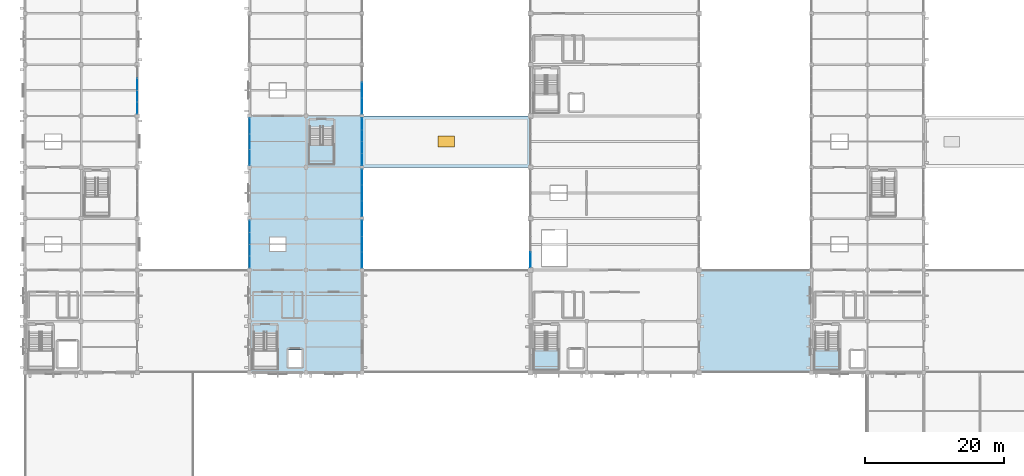
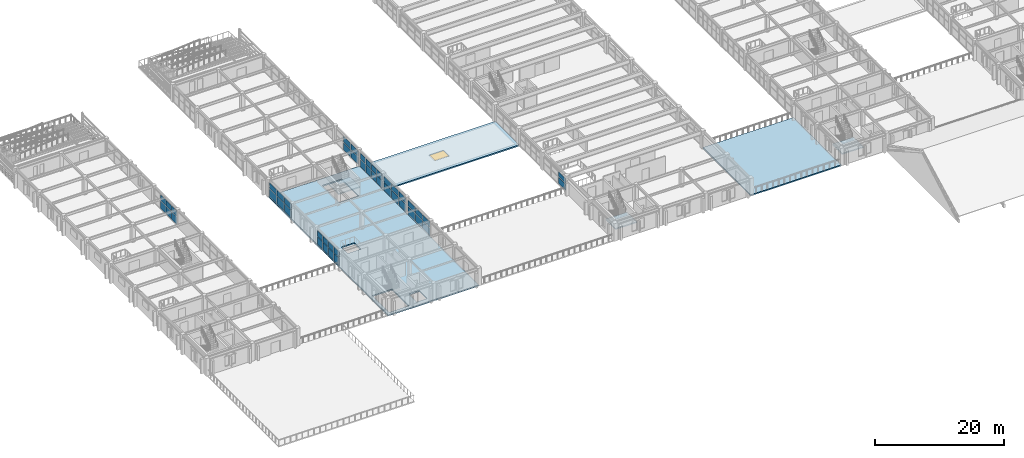
# One storey, part 93 of 121: 46 plates, 6 slabs, 1 window, 1 opening, 11 elements without a shape of their own.
"""IFC4 building model written with IfcOpenShell, lengths in metres."""

from ifc_helpers import new_model, si_unit, direction, frame, origin, origin_2d, place, context, subcontext, project, spatial, polyline, rectangle, outline, extrude, material, layer, layer_set, type_object, element, fill, aggregate, save


model = new_model("IFC4")

# Units and contexts
model_context = context("Model", 3, precision=1e-05, world=origin(), true_north=direction((0.0, 1.0)))
body_context = subcontext(model_context, "Body", "Model", "MODEL_VIEW")
ifc_project = project(units=[si_unit("LENGTHUNIT", "METRE"), si_unit("AREAUNIT", "SQUARE_METRE"), si_unit("VOLUMEUNIT", "CUBIC_METRE"), si_unit("PLANEANGLEUNIT", "RADIAN"), si_unit("MASSUNIT", "GRAM", prefix="KILO")], contexts=[model_context])

# Site, building, storey
site_placement = place(None, origin())
site = spatial("IfcSite", under=ifc_project, at=site_placement, CompositionType="ELEMENT")
building_placement = place(site_placement, origin())
building = spatial("IfcBuilding", under=site, at=building_placement, Name="Cimatlan Art Gallery", CompositionType="ELEMENT")
storey_placement = place(building_placement, frame((0.0, 0.0, 10.199951171875)))
storey = spatial("IfcBuildingStorey", under=building, at=storey_placement, Name="L02", CompositionType="ELEMENT", Elevation=10.199951171875)

# Curtain wall, plates
ifc_material_1 = material(Name="Anodised bronze unitised curtain wall")
curtain_wall_type_1 = type_object("IfcCurtainWallType", Name="CW-V-06792X02823-B4", PredefinedType="NOTDEFINED", material=ifc_material_1)
curtain_wall_1_placement = place(storey_placement, origin())
curtain_wall_1 = element("IfcCurtainWall", 1, at=curtain_wall_1_placement, inside=storey, type_object=curtain_wall_type_1, Name="CW-L02-01-08-E", PredefinedType="NOTDEFINED")
ifc_material_2 = material(Name="Low-E insulated double glazing", Category="glass")
ifc_layer_1 = layer(ifc_material_2, 0.028076171875)
ifc_layer_set_1 = layer_set([ifc_layer_1], Name="Low-E insulated double glazing")
plate_type_1 = type_object("IfcPlateType", Name="PNL-1640X1058", PredefinedType="CURTAIN_PANEL", material=ifc_layer_set_1)
plate_1_placement = place(storey_placement, frame((18.199951171875, 65.448974609375, 1.64306640625), z_axis=(0.0, 0.0, 1.0), x_axis=(0.0, -1.0, 0.0)))
plate_1 = element("IfcPlate", 2, at=plate_1_placement, type_object=plate_type_1, Name="CW-L02-01-08-E-P22", PredefinedType="CURTAIN_PANEL", context=body_context, shape_type="SweptSolid", body=[
    extrude(rectangle(XDim=1.639892578125, YDim=0.028076171875, at=origin_2d()), origin(), (0.0, 0.0, 1.0), 1.05810546875),
])
plate_2_placement = place(storey_placement, frame((18.199951171875, 63.7509765625, 1.64306640625), z_axis=(0.0, 0.0, 1.0), x_axis=(0.0, -1.0, 0.0)))
plate_2 = element("IfcPlate", 3, at=plate_2_placement, type_object=plate_type_1, Name="CW-L02-01-08-E-P32", PredefinedType="CURTAIN_PANEL", context=body_context, shape_type="SweptSolid", body=[
    extrude(rectangle(XDim=1.639892578125, YDim=0.028076171875, at=origin_2d()), origin(), (0.0, 0.0, 1.0), 1.05810546875),
])
plate_3_placement = place(storey_placement, frame((18.199951171875, 62.052978515625, 1.64306640625), z_axis=(0.0, 0.0, 1.0), x_axis=(0.0, -1.0, 0.0)))
plate_3 = element("IfcPlate", 4, at=plate_3_placement, type_object=plate_type_1, Name="CW-L02-01-08-E-P42", PredefinedType="CURTAIN_PANEL", context=body_context, shape_type="SweptSolid", body=[
    extrude(rectangle(XDim=1.639892578125, YDim=0.028076171875, at=origin_2d()), origin(), (0.0, 0.0, 1.0), 1.05810546875),
])

curtain_wall_2_placement = place(storey_placement, origin())
curtain_wall_2 = element("IfcCurtainWall", 5, at=curtain_wall_2_placement, inside=storey, type_object=curtain_wall_type_1, Name="CW-L02-04-05-W", PredefinedType="NOTDEFINED")
plate_4_placement = place(storey_placement, frame((34.39990234375, 39.85302734375, 1.64306640625), z_axis=(0.0, 0.0, 1.0), x_axis=(0.0, 1.0, 0.0)))
plate_4 = element("IfcPlate", 6, at=plate_4_placement, type_object=plate_type_1, Name="CW-L02-04-05-W-P12", PredefinedType="CURTAIN_PANEL", context=body_context, shape_type="SweptSolid", body=[
    extrude(rectangle(XDim=1.639892578125, YDim=0.028076171875, at=origin_2d()), origin(), (0.0, 0.0, 1.0), 1.05810546875),
])
plate_5_placement = place(storey_placement, frame((34.39990234375, 41.551025390625, 1.64306640625), z_axis=(0.0, 0.0, 1.0), x_axis=(0.0, 1.0, 0.0)))
plate_5 = element("IfcPlate", 7, at=plate_5_placement, type_object=plate_type_1, Name="CW-L02-04-05-W-P22", PredefinedType="CURTAIN_PANEL", context=body_context, shape_type="SweptSolid", body=[
    extrude(rectangle(XDim=1.639892578125, YDim=0.028076171875, at=origin_2d()), origin(), (0.0, 0.0, 1.0), 1.05810546875),
])
plate_6_placement = place(storey_placement, frame((34.39990234375, 43.2490234375, 1.64306640625), z_axis=(0.0, 0.0, 1.0), x_axis=(0.0, 1.0, 0.0)))
plate_6 = element("IfcPlate", 8, at=plate_6_placement, type_object=plate_type_1, Name="CW-L02-04-05-W-P32", PredefinedType="CURTAIN_PANEL", context=body_context, shape_type="SweptSolid", body=[
    extrude(rectangle(XDim=1.639892578125, YDim=0.028076171875, at=origin_2d()), origin(), (0.0, 0.0, 1.0), 1.05810546875),
])
plate_7_placement = place(storey_placement, frame((34.39990234375, 44.947021484375, 1.64306640625), z_axis=(0.0, 0.0, 1.0), x_axis=(0.0, 1.0, 0.0)))
plate_7 = element("IfcPlate", 9, at=plate_7_placement, type_object=plate_type_1, Name="CW-L02-04-05-W-P42", PredefinedType="CURTAIN_PANEL", context=body_context, shape_type="SweptSolid", body=[
    extrude(rectangle(XDim=1.639892578125, YDim=0.028076171875, at=origin_2d()), origin(), (0.0, 0.0, 1.0), 1.05810546875),
])

curtain_wall_type_2 = type_object("IfcCurtainWallType", Name="CW-V-06792X02838-B4", PredefinedType="NOTDEFINED", material=ifc_material_1)
curtain_wall_3_placement = place(storey_placement, origin())
curtain_wall_3 = element("IfcCurtainWall", 10, at=curtain_wall_3_placement, inside=storey, type_object=curtain_wall_type_2, Name="CW-L02-05-07-E", PredefinedType="NOTDEFINED")
ifc_layer_2 = layer(ifc_material_2, 0.028076171875)
ifc_layer_set_2 = layer_set([ifc_layer_2], Name="Low-E insulated double glazing")
plate_type_2 = type_object("IfcPlateType", Name="PNL-1640X1065", PredefinedType="CURTAIN_PANEL", material=ifc_layer_set_2)
plate_8_placement = place(storey_placement, frame((50.60009765625, 59.7470703125, 1.651123046875), z_axis=(0.0, 0.0, 1.0), x_axis=(0.0, -1.0, 0.0)))
plate_8 = element("IfcPlate", 11, at=plate_8_placement, type_object=plate_type_2, Name="CW-L02-05-07-E-P12", PredefinedType="CURTAIN_PANEL", context=body_context, shape_type="SweptSolid", body=[
    extrude(rectangle(XDim=1.639892578125, YDim=0.028076171875, at=origin_2d()), origin(), (0.0, 0.0, 1.0), 1.06494140625),
])
plate_9_placement = place(storey_placement, frame((50.60009765625, 58.049072265625, 1.651123046875), z_axis=(0.0, 0.0, 1.0), x_axis=(0.0, -1.0, 0.0)))
plate_9 = element("IfcPlate", 12, at=plate_9_placement, type_object=plate_type_2, Name="CW-L02-05-07-E-P22", PredefinedType="CURTAIN_PANEL", context=body_context, shape_type="SweptSolid", body=[
    extrude(rectangle(XDim=1.639892578125, YDim=0.028076171875, at=origin_2d()), origin(), (0.0, 0.0, 1.0), 1.06494140625),
])
plate_10_placement = place(storey_placement, frame((50.60009765625, 56.35107421875, 1.651123046875), z_axis=(0.0, 0.0, 1.0), x_axis=(0.0, -1.0, 0.0)))
plate_10 = element("IfcPlate", 13, at=plate_10_placement, type_object=plate_type_2, Name="CW-L02-05-07-E-P32", PredefinedType="CURTAIN_PANEL", context=body_context, shape_type="SweptSolid", body=[
    extrude(rectangle(XDim=1.639892578125, YDim=0.028076171875, at=origin_2d()), origin(), (0.0, 0.0, 1.0), 1.06494140625),
])
plate_11_placement = place(storey_placement, frame((50.60009765625, 54.653076171875, 1.651123046875), z_axis=(0.0, 0.0, 1.0), x_axis=(0.0, -1.0, 0.0)))
plate_11 = element("IfcPlate", 14, at=plate_11_placement, type_object=plate_type_2, Name="CW-L02-05-07-E-P42", PredefinedType="CURTAIN_PANEL", context=body_context, shape_type="SweptSolid", body=[
    extrude(rectangle(XDim=1.639892578125, YDim=0.028076171875, at=origin_2d()), origin(), (0.0, 0.0, 1.0), 1.06494140625),
])

# Plate
ifc_layer_3 = layer(ifc_material_2, 0.028076171875)
ifc_layer_set_3 = layer_set([ifc_layer_3], Name="Low-E insulated double glazing")
plate_type_3 = type_object("IfcPlateType", Name="PNL-1640X1397", PredefinedType="CURTAIN_PANEL", material=ifc_layer_set_3)
plate_12_placement = place(storey_placement, frame((18.199951171875, 65.448974609375, 0.1220703125), z_axis=(0.0, 0.0, 1.0), x_axis=(0.0, -1.0, 0.0)))
plate_12 = element("IfcPlate", 15, at=plate_12_placement, type_object=plate_type_3, Name="CW-L02-01-08-E-P21", PredefinedType="CURTAIN_PANEL", context=body_context, shape_type="SweptSolid", body=[
    extrude(rectangle(XDim=1.639892578125, YDim=0.028076171875, at=origin_2d()), origin(), (0.0, 0.0, 1.0), 1.39697265625),
])

plate_13_placement = place(storey_placement, frame((18.199951171875, 63.7509765625, 0.1220703125), z_axis=(0.0, 0.0, 1.0), x_axis=(0.0, -1.0, 0.0)))
plate_13 = element("IfcPlate", 16, at=plate_13_placement, type_object=plate_type_3, Name="CW-L02-01-08-E-P31", PredefinedType="CURTAIN_PANEL", context=body_context, shape_type="SweptSolid", body=[
    extrude(rectangle(XDim=1.639892578125, YDim=0.028076171875, at=origin_2d()), origin(), (0.0, 0.0, 1.0), 1.39697265625),
])

plate_14_placement = place(storey_placement, frame((18.199951171875, 62.052978515625, 0.1220703125), z_axis=(0.0, 0.0, 1.0), x_axis=(0.0, -1.0, 0.0)))
plate_14 = element("IfcPlate", 17, at=plate_14_placement, type_object=plate_type_3, Name="CW-L02-01-08-E-P41", PredefinedType="CURTAIN_PANEL", context=body_context, shape_type="SweptSolid", body=[
    extrude(rectangle(XDim=1.639892578125, YDim=0.028076171875, at=origin_2d()), origin(), (0.0, 0.0, 1.0), 1.39697265625),
])

aggregate(curtain_wall_1, [plate_12, plate_1, plate_13, plate_2, plate_14, plate_3])

plate_15_placement = place(storey_placement, frame((34.39990234375, 39.85302734375, 0.1220703125), z_axis=(0.0, 0.0, 1.0), x_axis=(0.0, 1.0, 0.0)))
plate_15 = element("IfcPlate", 18, at=plate_15_placement, type_object=plate_type_3, Name="CW-L02-04-05-W-P11", PredefinedType="CURTAIN_PANEL", context=body_context, shape_type="SweptSolid", body=[
    extrude(rectangle(XDim=1.639892578125, YDim=0.028076171875, at=origin_2d()), origin(), (0.0, 0.0, 1.0), 1.39697265625),
])

plate_16_placement = place(storey_placement, frame((34.39990234375, 41.551025390625, 0.1220703125), z_axis=(0.0, 0.0, 1.0), x_axis=(0.0, 1.0, 0.0)))
plate_16 = element("IfcPlate", 19, at=plate_16_placement, type_object=plate_type_3, Name="CW-L02-04-05-W-P21", PredefinedType="CURTAIN_PANEL", context=body_context, shape_type="SweptSolid", body=[
    extrude(rectangle(XDim=1.639892578125, YDim=0.028076171875, at=origin_2d()), origin(), (0.0, 0.0, 1.0), 1.39697265625),
])

plate_17_placement = place(storey_placement, frame((34.39990234375, 43.2490234375, 0.1220703125), z_axis=(0.0, 0.0, 1.0), x_axis=(0.0, 1.0, 0.0)))
plate_17 = element("IfcPlate", 20, at=plate_17_placement, type_object=plate_type_3, Name="CW-L02-04-05-W-P31", PredefinedType="CURTAIN_PANEL", context=body_context, shape_type="SweptSolid", body=[
    extrude(rectangle(XDim=1.639892578125, YDim=0.028076171875, at=origin_2d()), origin(), (0.0, 0.0, 1.0), 1.39697265625),
])

plate_18_placement = place(storey_placement, frame((34.39990234375, 44.947021484375, 0.1220703125), z_axis=(0.0, 0.0, 1.0), x_axis=(0.0, 1.0, 0.0)))
plate_18 = element("IfcPlate", 21, at=plate_18_placement, type_object=plate_type_3, Name="CW-L02-04-05-W-P41", PredefinedType="CURTAIN_PANEL", context=body_context, shape_type="SweptSolid", body=[
    extrude(rectangle(XDim=1.639892578125, YDim=0.028076171875, at=origin_2d()), origin(), (0.0, 0.0, 1.0), 1.39697265625),
])

aggregate(curtain_wall_2, [plate_15, plate_4, plate_16, plate_5, plate_17, plate_6, plate_18, plate_7])

ifc_layer_4 = layer(ifc_material_2, 0.028076171875)
ifc_layer_set_4 = layer_set([ifc_layer_4], Name="Low-E insulated double glazing")
plate_type_4 = type_object("IfcPlateType", Name="PNL-1640X1405", PredefinedType="CURTAIN_PANEL", material=ifc_layer_set_4)
plate_19_placement = place(storey_placement, frame((50.60009765625, 59.7470703125, 0.1220703125), z_axis=(0.0, 0.0, 1.0), x_axis=(0.0, -1.0, 0.0)))
plate_19 = element("IfcPlate", 22, at=plate_19_placement, type_object=plate_type_4, Name="CW-L02-05-07-E-P11", PredefinedType="CURTAIN_PANEL", context=body_context, shape_type="SweptSolid", body=[
    extrude(rectangle(XDim=1.639892578125, YDim=0.028076171875, at=origin_2d()), origin(), (0.0, 0.0, 1.0), 1.405029296875),
])

plate_20_placement = place(storey_placement, frame((50.60009765625, 58.049072265625, 0.1220703125), z_axis=(0.0, 0.0, 1.0), x_axis=(0.0, -1.0, 0.0)))
plate_20 = element("IfcPlate", 23, at=plate_20_placement, type_object=plate_type_4, Name="CW-L02-05-07-E-P21", PredefinedType="CURTAIN_PANEL", context=body_context, shape_type="SweptSolid", body=[
    extrude(rectangle(XDim=1.639892578125, YDim=0.028076171875, at=origin_2d()), origin(), (0.0, 0.0, 1.0), 1.405029296875),
])

plate_21_placement = place(storey_placement, frame((50.60009765625, 56.35107421875, 0.1220703125), z_axis=(0.0, 0.0, 1.0), x_axis=(0.0, -1.0, 0.0)))
plate_21 = element("IfcPlate", 24, at=plate_21_placement, type_object=plate_type_4, Name="CW-L02-05-07-E-P31", PredefinedType="CURTAIN_PANEL", context=body_context, shape_type="SweptSolid", body=[
    extrude(rectangle(XDim=1.639892578125, YDim=0.028076171875, at=origin_2d()), origin(), (0.0, 0.0, 1.0), 1.405029296875),
])

plate_22_placement = place(storey_placement, frame((50.60009765625, 54.653076171875, 0.1220703125), z_axis=(0.0, 0.0, 1.0), x_axis=(0.0, -1.0, 0.0)))
plate_22 = element("IfcPlate", 25, at=plate_22_placement, type_object=plate_type_4, Name="CW-L02-05-07-E-P41", PredefinedType="CURTAIN_PANEL", context=body_context, shape_type="SweptSolid", body=[
    extrude(rectangle(XDim=1.639892578125, YDim=0.028076171875, at=origin_2d()), origin(), (0.0, 0.0, 1.0), 1.405029296875),
])

aggregate(curtain_wall_3, [plate_19, plate_8, plate_20, plate_9, plate_21, plate_10, plate_22, plate_11])

# Curtain wall, plates
curtain_wall_type_3 = type_object("IfcCurtainWallType", Name="CW-V-06692X02479-B3", PredefinedType="NOTDEFINED", material=ifc_material_1)
curtain_wall_4_placement = place(storey_placement, origin())
curtain_wall_4 = element("IfcCurtainWall", 26, at=curtain_wall_4_placement, inside=storey, type_object=curtain_wall_type_3, Name="CW-L02-09-05-W", PredefinedType="NOTDEFINED")
ifc_layer_5 = layer(ifc_material_2, 0.028076171875)
ifc_layer_set_5 = layer_set([ifc_layer_5], Name="Low-E insulated double glazing")
plate_type_5 = type_object("IfcPlateType", Name="PNL-2173X0907", PredefinedType="CURTAIN_PANEL", material=ifc_layer_set_5)
plate_23_placement = place(storey_placement, frame((74.89990234375, 40.16943359375, 1.4501953125), z_axis=(0.0, 0.0, 1.0), x_axis=(0.0, 1.0, 0.0)))
plate_23 = element("IfcPlate", 27, at=plate_23_placement, type_object=plate_type_5, Name="CW-L02-09-05-W-P12", PredefinedType="CURTAIN_PANEL", context=body_context, shape_type="SweptSolid", body=[
    extrude(rectangle(XDim=2.173095703125, YDim=0.028076171875, at=origin_2d()), origin(), (0.0, 0.0, 1.0), 0.906982421875),
])
ifc_layer_6 = layer(ifc_material_2, 0.028076171875)
ifc_layer_set_6 = layer_set([ifc_layer_6], Name="Low-E insulated double glazing")
plate_type_6 = type_object("IfcPlateType", Name="PNL-2173X1204", PredefinedType="CURTAIN_PANEL", material=ifc_layer_set_6)
plate_24_placement = place(storey_placement, frame((74.89990234375, 40.16943359375, 0.1220703125), z_axis=(0.0, 0.0, 1.0), x_axis=(0.0, 1.0, 0.0)))
plate_24 = element("IfcPlate", 28, at=plate_24_placement, type_object=plate_type_6, Name="CW-L02-09-05-W-P11", PredefinedType="CURTAIN_PANEL", context=body_context, shape_type="SweptSolid", body=[
    extrude(rectangle(XDim=2.173095703125, YDim=0.028076171875, at=origin_2d()), origin(), (0.0, 0.0, 1.0), 1.2041015625),
])
aggregate(curtain_wall_4, [plate_24, plate_23])

curtain_wall_type_4 = type_object("IfcCurtainWallType", Name="CW-V-06792X02823-B3", PredefinedType="NOTDEFINED", material=ifc_material_1)
curtain_wall_5_placement = place(storey_placement, origin())
curtain_wall_5 = element("IfcCurtainWall", 29, at=curtain_wall_5_placement, inside=storey, type_object=curtain_wall_type_4, Name="CW-L02-05-08-E", PredefinedType="NOTDEFINED")
ifc_layer_7 = layer(ifc_material_2, 0.028076171875)
ifc_layer_set_7 = layer_set([ifc_layer_7], Name="Low-E insulated double glazing")
plate_type_7 = type_object("IfcPlateType", Name="PNL-2206X1058", PredefinedType="CURTAIN_PANEL", material=ifc_layer_set_7)
plate_25_placement = place(storey_placement, frame((50.60009765625, 64.60009765625, 1.64306640625), z_axis=(0.0, 0.0, 1.0), x_axis=(0.0, -1.0, 0.0)))
plate_25 = element("IfcPlate", 30, at=plate_25_placement, type_object=plate_type_7, Name="CW-L02-05-08-E-P22", PredefinedType="CURTAIN_PANEL", context=body_context, shape_type="SweptSolid", body=[
    extrude(rectangle(XDim=2.2060546875, YDim=0.028076171875, at=origin_2d()), origin(), (0.0, 0.0, 1.0), 1.05810546875),
])
plate_26_placement = place(storey_placement, frame((50.60009765625, 62.3359375, 1.64306640625), z_axis=(0.0, 0.0, 1.0), x_axis=(0.0, -1.0, 0.0)))
plate_26 = element("IfcPlate", 31, at=plate_26_placement, type_object=plate_type_7, Name="CW-L02-05-08-E-P32", PredefinedType="CURTAIN_PANEL", context=body_context, shape_type="SweptSolid", body=[
    extrude(rectangle(XDim=2.2060546875, YDim=0.028076171875, at=origin_2d()), origin(), (0.0, 0.0, 1.0), 1.05810546875),
])

curtain_wall_type_5 = type_object("IfcCurtainWallType", Name="CW-V-06792X02853-B3", PredefinedType="NOTDEFINED", material=ifc_material_1)
curtain_wall_6_placement = place(storey_placement, origin())
curtain_wall_6 = element("IfcCurtainWall", 32, at=curtain_wall_6_placement, inside=storey, type_object=curtain_wall_type_5, Name="CW-L02-05-06-E", PredefinedType="NOTDEFINED")
ifc_layer_8 = layer(ifc_material_2, 0.028076171875)
ifc_layer_set_8 = layer_set([ifc_layer_8], Name="Low-E insulated double glazing")
plate_type_8 = type_object("IfcPlateType", Name="PNL-2206X1071", PredefinedType="CURTAIN_PANEL", material=ifc_layer_set_8)
plate_27_placement = place(storey_placement, frame((50.60009765625, 52.06396484375, 1.65966796875), z_axis=(0.0, 0.0, 1.0), x_axis=(0.0, -1.0, 0.0)))
plate_27 = element("IfcPlate", 33, at=plate_27_placement, type_object=plate_type_8, Name="CW-L02-05-06-E-P12", PredefinedType="CURTAIN_PANEL", context=body_context, shape_type="SweptSolid", body=[
    extrude(rectangle(XDim=2.2060546875, YDim=0.028076171875, at=origin_2d()), origin(), (0.0, 0.0, 1.0), 1.071044921875),
])
plate_28_placement = place(storey_placement, frame((50.60009765625, 49.800048828125, 1.65966796875), z_axis=(0.0, 0.0, 1.0), x_axis=(0.0, -1.0, 0.0)))
plate_28 = element("IfcPlate", 34, at=plate_28_placement, type_object=plate_type_8, Name="CW-L02-05-06-E-P22", PredefinedType="CURTAIN_PANEL", context=body_context, shape_type="SweptSolid", body=[
    extrude(rectangle(XDim=2.2060546875, YDim=0.028076171875, at=origin_2d()), origin(), (0.0, 0.0, 1.0), 1.071044921875),
])
plate_29_placement = place(storey_placement, frame((50.60009765625, 47.535888671875, 1.65966796875), z_axis=(0.0, 0.0, 1.0), x_axis=(0.0, -1.0, 0.0)))
plate_29 = element("IfcPlate", 35, at=plate_29_placement, type_object=plate_type_8, Name="CW-L02-05-06-E-P32", PredefinedType="CURTAIN_PANEL", context=body_context, shape_type="SweptSolid", body=[
    extrude(rectangle(XDim=2.2060546875, YDim=0.028076171875, at=origin_2d()), origin(), (0.0, 0.0, 1.0), 1.071044921875),
])

curtain_wall_type_6 = type_object("IfcCurtainWallType", Name="CW-V-06792X02868-B3", PredefinedType="NOTDEFINED", material=ifc_material_1)
curtain_wall_7_placement = place(storey_placement, origin())
curtain_wall_7 = element("IfcCurtainWall", 36, at=curtain_wall_7_placement, inside=storey, type_object=curtain_wall_type_6, Name="CW-L02-05-05-E", PredefinedType="NOTDEFINED")
ifc_layer_9 = layer(ifc_material_2, 0.028076171875)
ifc_layer_set_9 = layer_set([ifc_layer_9], Name="Low-E insulated double glazing")
plate_type_9 = type_object("IfcPlateType", Name="PNL-2206X1078", PredefinedType="CURTAIN_PANEL", material=ifc_layer_set_9)
plate_30_placement = place(storey_placement, frame((50.60009765625, 44.6640625, 1.66796875), z_axis=(0.0, 0.0, 1.0), x_axis=(0.0, -1.0, 0.0)))
plate_30 = element("IfcPlate", 37, at=plate_30_placement, type_object=plate_type_9, Name="CW-L02-05-05-E-P12", PredefinedType="CURTAIN_PANEL", context=body_context, shape_type="SweptSolid", body=[
    extrude(rectangle(XDim=2.2060546875, YDim=0.028076171875, at=origin_2d()), origin(), (0.0, 0.0, 1.0), 1.077880859375),
])
plate_31_placement = place(storey_placement, frame((50.60009765625, 42.39990234375, 1.66796875), z_axis=(0.0, 0.0, 1.0), x_axis=(0.0, -1.0, 0.0)))
plate_31 = element("IfcPlate", 38, at=plate_31_placement, type_object=plate_type_9, Name="CW-L02-05-05-E-P22", PredefinedType="CURTAIN_PANEL", context=body_context, shape_type="SweptSolid", body=[
    extrude(rectangle(XDim=2.2060546875, YDim=0.028076171875, at=origin_2d()), origin(), (0.0, 0.0, 1.0), 1.077880859375),
])
plate_32_placement = place(storey_placement, frame((50.60009765625, 40.135986328125, 1.66796875), z_axis=(0.0, 0.0, 1.0), x_axis=(0.0, -1.0, 0.0)))
plate_32 = element("IfcPlate", 39, at=plate_32_placement, type_object=plate_type_9, Name="CW-L02-05-05-E-P32", PredefinedType="CURTAIN_PANEL", context=body_context, shape_type="SweptSolid", body=[
    extrude(rectangle(XDim=2.2060546875, YDim=0.028076171875, at=origin_2d()), origin(), (0.0, 0.0, 1.0), 1.077880859375),
])

curtain_wall_type_7 = type_object("IfcCurtainWallType", Name="CW-V-06792X02883-B3", PredefinedType="NOTDEFINED", material=ifc_material_1)
curtain_wall_8_placement = place(storey_placement, origin())
curtain_wall_8 = element("IfcCurtainWall", 40, at=curtain_wall_8_placement, inside=storey, type_object=curtain_wall_type_7, Name="CW-L02-04-07-W", PredefinedType="NOTDEFINED")
ifc_layer_10 = layer(ifc_material_2, 0.028076171875)
ifc_layer_set_10 = layer_set([ifc_layer_10], Name="Low-E insulated double glazing")
plate_type_10 = type_object("IfcPlateType", Name="PNL-2206X1085", PredefinedType="CURTAIN_PANEL", material=ifc_layer_set_10)
plate_33_placement = place(storey_placement, frame((34.39990234375, 54.93603515625, 1.67626953125), z_axis=(0.0, 0.0, 1.0), x_axis=(0.0, 1.0, 0.0)))
plate_33 = element("IfcPlate", 41, at=plate_33_placement, type_object=plate_type_10, Name="CW-L02-04-07-W-P12", PredefinedType="CURTAIN_PANEL", context=body_context, shape_type="SweptSolid", body=[
    extrude(rectangle(XDim=2.2060546875, YDim=0.028076171875, at=origin_2d()), origin(), (0.0, 0.0, 1.0), 1.0849609375),
])
plate_34_placement = place(storey_placement, frame((34.39990234375, 57.199951171875, 1.67626953125), z_axis=(0.0, 0.0, 1.0), x_axis=(0.0, 1.0, 0.0)))
plate_34 = element("IfcPlate", 42, at=plate_34_placement, type_object=plate_type_10, Name="CW-L02-04-07-W-P22", PredefinedType="CURTAIN_PANEL", context=body_context, shape_type="SweptSolid", body=[
    extrude(rectangle(XDim=2.2060546875, YDim=0.028076171875, at=origin_2d()), origin(), (0.0, 0.0, 1.0), 1.0849609375),
])
plate_35_placement = place(storey_placement, frame((34.39990234375, 59.464111328125, 1.67626953125), z_axis=(0.0, 0.0, 1.0), x_axis=(0.0, 1.0, 0.0)))
plate_35 = element("IfcPlate", 43, at=plate_35_placement, type_object=plate_type_10, Name="CW-L02-04-07-W-P32", PredefinedType="CURTAIN_PANEL", context=body_context, shape_type="SweptSolid", body=[
    extrude(rectangle(XDim=2.2060546875, YDim=0.028076171875, at=origin_2d()), origin(), (0.0, 0.0, 1.0), 1.0849609375),
])

# Plate
ifc_layer_11 = layer(ifc_material_2, 0.028076171875)
ifc_layer_set_11 = layer_set([ifc_layer_11], Name="Low-E insulated double glazing")
plate_type_11 = type_object("IfcPlateType", Name="PNL-2206X1397", PredefinedType="CURTAIN_PANEL", material=ifc_layer_set_11)
plate_36_placement = place(storey_placement, frame((50.60009765625, 64.60009765625, 0.1220703125), z_axis=(0.0, 0.0, 1.0), x_axis=(0.0, -1.0, 0.0)))
plate_36 = element("IfcPlate", 44, at=plate_36_placement, type_object=plate_type_11, Name="CW-L02-05-08-E-P21", PredefinedType="CURTAIN_PANEL", context=body_context, shape_type="SweptSolid", body=[
    extrude(rectangle(XDim=2.2060546875, YDim=0.028076171875, at=origin_2d()), origin(), (0.0, 0.0, 1.0), 1.39697265625),
])

plate_37_placement = place(storey_placement, frame((50.60009765625, 62.3359375, 0.1220703125), z_axis=(0.0, 0.0, 1.0), x_axis=(0.0, -1.0, 0.0)))
plate_37 = element("IfcPlate", 45, at=plate_37_placement, type_object=plate_type_11, Name="CW-L02-05-08-E-P31", PredefinedType="CURTAIN_PANEL", context=body_context, shape_type="SweptSolid", body=[
    extrude(rectangle(XDim=2.2060546875, YDim=0.028076171875, at=origin_2d()), origin(), (0.0, 0.0, 1.0), 1.39697265625),
])

aggregate(curtain_wall_5, [plate_36, plate_25, plate_37, plate_26])

ifc_layer_12 = layer(ifc_material_2, 0.028076171875)
ifc_layer_set_12 = layer_set([ifc_layer_12], Name="Low-E insulated double glazing")
plate_type_12 = type_object("IfcPlateType", Name="PNL-2206X1414", PredefinedType="CURTAIN_PANEL", material=ifc_layer_set_12)
plate_38_placement = place(storey_placement, frame((50.60009765625, 52.06396484375, 0.121826171875), z_axis=(0.0, 0.0, 1.0), x_axis=(0.0, -1.0, 0.0)))
plate_38 = element("IfcPlate", 46, at=plate_38_placement, type_object=plate_type_12, Name="CW-L02-05-06-E-P11", PredefinedType="CURTAIN_PANEL", context=body_context, shape_type="SweptSolid", body=[
    extrude(rectangle(XDim=2.2060546875, YDim=0.028076171875, at=origin_2d()), origin(), (0.0, 0.0, 1.0), 1.4140625),
])

plate_39_placement = place(storey_placement, frame((50.60009765625, 49.800048828125, 0.121826171875), z_axis=(0.0, 0.0, 1.0), x_axis=(0.0, -1.0, 0.0)))
plate_39 = element("IfcPlate", 47, at=plate_39_placement, type_object=plate_type_12, Name="CW-L02-05-06-E-P21", PredefinedType="CURTAIN_PANEL", context=body_context, shape_type="SweptSolid", body=[
    extrude(rectangle(XDim=2.2060546875, YDim=0.028076171875, at=origin_2d()), origin(), (0.0, 0.0, 1.0), 1.4140625),
])

plate_40_placement = place(storey_placement, frame((50.60009765625, 47.535888671875, 0.121826171875), z_axis=(0.0, 0.0, 1.0), x_axis=(0.0, -1.0, 0.0)))
plate_40 = element("IfcPlate", 48, at=plate_40_placement, type_object=plate_type_12, Name="CW-L02-05-06-E-P31", PredefinedType="CURTAIN_PANEL", context=body_context, shape_type="SweptSolid", body=[
    extrude(rectangle(XDim=2.2060546875, YDim=0.028076171875, at=origin_2d()), origin(), (0.0, 0.0, 1.0), 1.4140625),
])

aggregate(curtain_wall_6, [plate_38, plate_27, plate_39, plate_28, plate_40, plate_29])

ifc_layer_13 = layer(ifc_material_2, 0.028076171875)
ifc_layer_set_13 = layer_set([ifc_layer_13], Name="Low-E insulated double glazing")
plate_type_13 = type_object("IfcPlateType", Name="PNL-2206X1422", PredefinedType="CURTAIN_PANEL", material=ifc_layer_set_13)
plate_41_placement = place(storey_placement, frame((50.60009765625, 44.6640625, 0.1220703125), z_axis=(0.0, 0.0, 1.0), x_axis=(0.0, -1.0, 0.0)))
plate_41 = element("IfcPlate", 49, at=plate_41_placement, type_object=plate_type_13, Name="CW-L02-05-05-E-P11", PredefinedType="CURTAIN_PANEL", context=body_context, shape_type="SweptSolid", body=[
    extrude(rectangle(XDim=2.2060546875, YDim=0.028076171875, at=origin_2d()), origin(), (0.0, 0.0, 1.0), 1.422119140625),
])

plate_42_placement = place(storey_placement, frame((50.60009765625, 42.39990234375, 0.1220703125), z_axis=(0.0, 0.0, 1.0), x_axis=(0.0, -1.0, 0.0)))
plate_42 = element("IfcPlate", 50, at=plate_42_placement, type_object=plate_type_13, Name="CW-L02-05-05-E-P21", PredefinedType="CURTAIN_PANEL", context=body_context, shape_type="SweptSolid", body=[
    extrude(rectangle(XDim=2.2060546875, YDim=0.028076171875, at=origin_2d()), origin(), (0.0, 0.0, 1.0), 1.422119140625),
])

plate_43_placement = place(storey_placement, frame((50.60009765625, 40.135986328125, 0.1220703125), z_axis=(0.0, 0.0, 1.0), x_axis=(0.0, -1.0, 0.0)))
plate_43 = element("IfcPlate", 51, at=plate_43_placement, type_object=plate_type_13, Name="CW-L02-05-05-E-P31", PredefinedType="CURTAIN_PANEL", context=body_context, shape_type="SweptSolid", body=[
    extrude(rectangle(XDim=2.2060546875, YDim=0.028076171875, at=origin_2d()), origin(), (0.0, 0.0, 1.0), 1.422119140625),
])

aggregate(curtain_wall_7, [plate_41, plate_30, plate_42, plate_31, plate_43, plate_32])

ifc_layer_14 = layer(ifc_material_2, 0.028076171875)
ifc_layer_set_14 = layer_set([ifc_layer_14], Name="Low-E insulated double glazing")
plate_type_14 = type_object("IfcPlateType", Name="PNL-2206X1431", PredefinedType="CURTAIN_PANEL", material=ifc_layer_set_14)
plate_44_placement = place(storey_placement, frame((34.39990234375, 54.93603515625, 0.1220703125), z_axis=(0.0, 0.0, 1.0), x_axis=(0.0, 1.0, 0.0)))
plate_44 = element("IfcPlate", 52, at=plate_44_placement, type_object=plate_type_14, Name="CW-L02-04-07-W-P11", PredefinedType="CURTAIN_PANEL", context=body_context, shape_type="SweptSolid", body=[
    extrude(rectangle(XDim=2.2060546875, YDim=0.028076171875, at=origin_2d()), origin(), (0.0, 0.0, 1.0), 1.430908203125),
])

plate_45_placement = place(storey_placement, frame((34.39990234375, 57.199951171875, 0.1220703125), z_axis=(0.0, 0.0, 1.0), x_axis=(0.0, 1.0, 0.0)))
plate_45 = element("IfcPlate", 53, at=plate_45_placement, type_object=plate_type_14, Name="CW-L02-04-07-W-P21", PredefinedType="CURTAIN_PANEL", context=body_context, shape_type="SweptSolid", body=[
    extrude(rectangle(XDim=2.2060546875, YDim=0.028076171875, at=origin_2d()), origin(), (0.0, 0.0, 1.0), 1.430908203125),
])

plate_46_placement = place(storey_placement, frame((34.39990234375, 59.464111328125, 0.1220703125), z_axis=(0.0, 0.0, 1.0), x_axis=(0.0, 1.0, 0.0)))
plate_46 = element("IfcPlate", 54, at=plate_46_placement, type_object=plate_type_14, Name="CW-L02-04-07-W-P31", PredefinedType="CURTAIN_PANEL", context=body_context, shape_type="SweptSolid", body=[
    extrude(rectangle(XDim=2.2060546875, YDim=0.028076171875, at=origin_2d()), origin(), (0.0, 0.0, 1.0), 1.430908203125),
])

aggregate(curtain_wall_8, [plate_44, plate_33, plate_45, plate_34, plate_46, plate_35])

# Slab
ifc_material_3 = material(Name="Concrete C35/45", Category="concrete")
ifc_layer_15 = layer(ifc_material_3, 0.239990234375)
ifc_layer_set_15 = layer_set([ifc_layer_15], Name="Concrete C35/45")
slab_type_1 = type_object("IfcSlabType", Name="SLB-FLR-L02", PredefinedType="FLOOR", material=ifc_layer_set_15)
slab_1_placement = place(storey_placement, frame((0.0, 0.0, -0.239990234375)))
element("IfcSlab", 55, at=slab_1_placement, inside=storey, type_object=slab_type_1, Name="SLB-L02-B2S", PredefinedType="FLOOR", context=body_context, shape_type="SweptSolid", body=[
    extrude(outline(polyline([(34.39990234375, 23.89990234375), (50.60009765625, 23.89990234375), (50.60009765625, 60.89990234375), (34.39990234375, 60.89990234375), (34.39990234375, 23.89990234375)]), holes=[polyline([(34.89990234375, 24.419921875), (38.419921875, 24.419921875), (38.419921875, 29.64990234375), (34.89990234375, 29.64990234375), (34.89990234375, 24.419921875)]), polyline([(40.010009765625, 24.7099609375), (41.889892578125, 24.7099609375), (41.889892578125, 27.18994140625), (40.010009765625, 27.18994140625), (40.010009765625, 24.7099609375)]), polyline([(43.0, 54.02001953125), (46.52001953125, 54.02001953125), (46.52001953125, 59.25), (43.0, 59.25), (43.0, 54.02001953125)]), polyline([(37.300048828125, 41.39990234375), (39.60009765625, 41.39990234375), (39.60009765625, 43.39990234375), (37.300048828125, 43.39990234375), (37.300048828125, 41.39990234375)])]), origin(), (0.0, 0.0, 1.0), 0.239990234375),
])

# Slab, opening, window
ifc_layer_16 = layer(ifc_material_3, 0.239990234375)
ifc_layer_set_16 = layer_set([ifc_layer_16], Name="Concrete C35/45")
slab_type_2 = type_object("IfcSlabType", Name="SLB-ROOF-240", PredefinedType="ROOF", material=ifc_layer_set_16)
slab_2_placement = place(storey_placement, frame((0.0, 0.0, -0.239990234375)))
slab_2 = element("IfcSlab", 56, at=slab_2_placement, inside=storey, type_object=slab_type_2, Name="RF-BRG-SC", PredefinedType="ROOF", context=body_context, shape_type="SweptSolid", body=[
    extrude(outline(polyline([(50.60009765625, 53.5), (74.89990234375, 53.5), (74.89990234375, 60.89990234375), (50.60009765625, 60.89990234375), (50.60009765625, 53.5)]), holes=[polyline([(61.449951171875, 56.300048828125), (64.050048828125, 56.300048828125), (64.050048828125, 58.10009765625), (61.449951171875, 58.10009765625), (61.449951171875, 56.300048828125)])]), origin(), (0.0, 0.0, 1.0), 0.239990234375),
])
opening_placement = place(slab_2_placement, frame((62.75, 57.199951171875, -0.010009765625)))
opening = element("IfcOpeningElement", 57, at=opening_placement, cuts=slab_2, Name="Opening SK-02", PredefinedType="OPENING", context=body_context, shape_type="SweptSolid", body=[
    extrude(rectangle(XDim=2.39990234375, YDim=1.60009765625, at=origin_2d()), origin(), (0.0, 0.0, 1.0), 0.260009765625),
])
ifc_material_4 = material(Name="Low-E laminated double glazing in bronze lancet frame", Category="glass")
window_type = type_object("IfcWindowType", Name="SKY-RF-2400X1600", PartitioningType="SINGLE_PANEL", PredefinedType="SKYLIGHT", material=ifc_material_4)
window_placement = place(slab_2_placement, frame((62.75, 57.199951171875, 0.18994140625)))
window = element("IfcWindow", 58, at=window_placement, inside=storey, type_object=window_type, Name="SKY-02", OverallHeight=1.60009765625, OverallWidth=2.39990234375, PartitioningType="SINGLE_PANEL", PredefinedType="SKYLIGHT", context=body_context, shape_type="SweptSolid", body=[
    extrude(rectangle(XDim=2.39990234375, YDim=1.60009765625, at=origin_2d()), origin(), (0.0, 0.0, 1.0), 0.050048828125),
])
fill(opening, window)

# Stair, slab
stair_type = type_object("IfcStairType", Name="STR-HALF-155-360", PredefinedType="HALF_TURN_STAIR", material=ifc_material_3)
stair_1_placement = place(storey_placement, origin())
stair_1 = element("IfcStair", 59, at=stair_1_placement, inside=storey, type_object=stair_type, Name="STR-C3-L02", PredefinedType="HALF_TURN_STAIR")
ifc_layer_17 = layer(ifc_material_3, 0.219970703125)
ifc_layer_set_17 = layer_set([ifc_layer_17], Name="Concrete C35/45")
slab_type_3 = type_object("IfcSlabType", Name="SLB-STAIR-LAND-220", PredefinedType="LANDING", material=ifc_layer_set_17)
slab_3_placement = place(storey_placement, frame((0.0, 0.0, 1.580078125)))
slab_3 = element("IfcSlab", 60, at=slab_3_placement, type_object=slab_type_3, Name="STR-C3-L02-LND", PredefinedType="LANDING", context=body_context, shape_type="SweptSolid", body=[
    extrude(outline(polyline([(75.25, 24.25), (79.0400390625, 24.25), (79.0400390625, 27.280029296875), (75.25, 27.280029296875), (75.25, 24.25)])), origin(), (0.0, 0.0, 1.0), 0.219970703125),
])
aggregate(stair_1, [slab_3])

stair_2_placement = place(storey_placement, origin())
stair_2 = element("IfcStair", 61, at=stair_2_placement, inside=storey, type_object=stair_type, Name="STR-C4-L02", PredefinedType="HALF_TURN_STAIR")
slab_4_placement = place(storey_placement, frame((0.0, 0.0, 1.580078125)))
slab_4 = element("IfcSlab", 62, at=slab_4_placement, type_object=slab_type_3, Name="STR-C4-L02-LND", PredefinedType="LANDING", context=body_context, shape_type="SweptSolid", body=[
    extrude(outline(polyline([(115.75, 24.25), (119.5400390625, 24.25), (119.5400390625, 27.280029296875), (115.75, 27.280029296875), (115.75, 24.25)])), origin(), (0.0, 0.0, 1.0), 0.219970703125),
])
aggregate(stair_2, [slab_4])

stair_3_placement = place(storey_placement, origin())
stair_3 = element("IfcStair", 63, at=stair_3_placement, inside=storey, type_object=stair_type, Name="STR-C8-L02", PredefinedType="HALF_TURN_STAIR")
slab_5_placement = place(storey_placement, frame((0.0, 0.0, 1.580078125)))
slab_5 = element("IfcSlab", 64, at=slab_5_placement, type_object=slab_type_3, Name="STR-C8-L02-LND", PredefinedType="LANDING", context=body_context, shape_type="SweptSolid", body=[
    extrude(outline(polyline([(42.85009765625, 53.85009765625), (46.639892578125, 53.85009765625), (46.639892578125, 56.8798828125), (42.85009765625, 56.8798828125), (42.85009765625, 53.85009765625)])), origin(), (0.0, 0.0, 1.0), 0.219970703125),
])
aggregate(stair_3, [slab_5])

# Slab
ifc_layer_18 = layer(ifc_material_3, 0.219970703125)
ifc_layer_set_18 = layer_set([ifc_layer_18], Name="Concrete C35/45")
slab_type_4 = type_object("IfcSlabType", Name="SLB-TER-220", PredefinedType="FLOOR", material=ifc_layer_set_18)
slab_6_placement = place(storey_placement, frame((0.0, 0.0, -0.219970703125)))
element("IfcSlab", 65, at=slab_6_placement, inside=storey, type_object=slab_type_4, Name="TER-L02-SP3", PredefinedType="FLOOR", context=body_context, shape_type="SweptSolid", body=[
    extrude(outline(polyline([(99.199951171875, 23.89990234375), (115.39990234375, 23.89990234375), (115.39990234375, 38.699951171875), (99.199951171875, 38.699951171875), (99.199951171875, 23.89990234375)])), origin(), (0.0, 0.0, 1.0), 0.219970703125),
])

save(model, "model.ifc")
